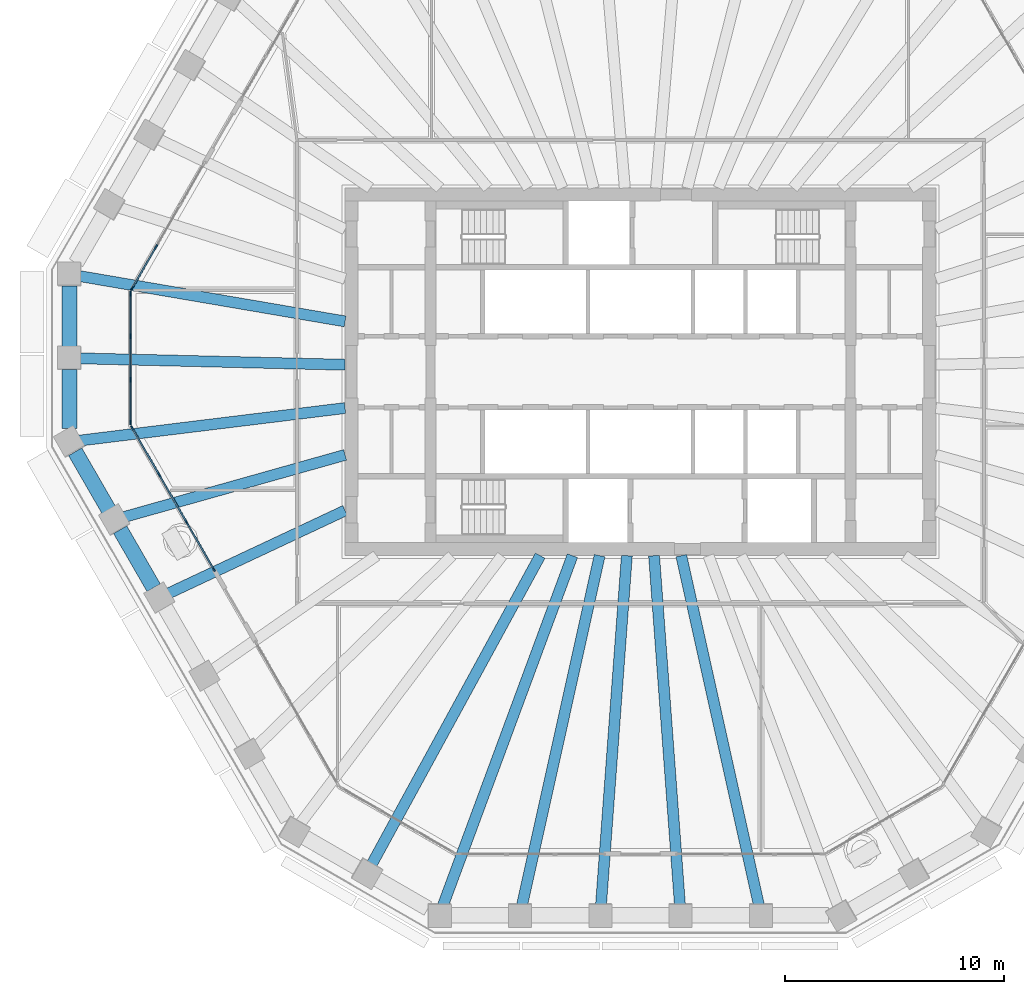
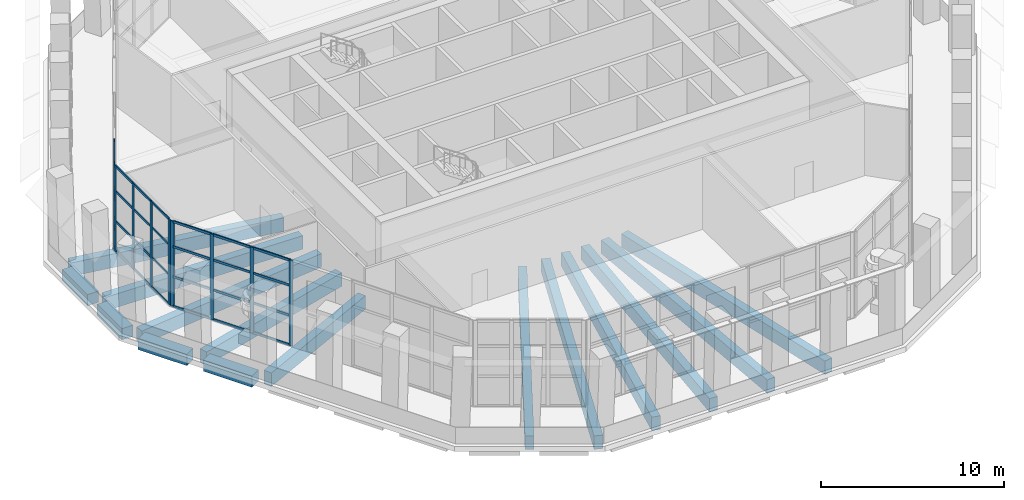
# One storey, part 3 of 19: 38 members, 15 beams, 3 elements without a shape of their own.
"""IFC4 building model written with IfcOpenShell, lengths in metres."""

from ifc_helpers import new_model, si_unit, direction, frame, origin, origin_2d, place, context, subcontext, project, spatial, rectangle, extrude, material, material_profile, profile_set, type_object, element, aggregate, save


model = new_model("IFC4")

# Units and contexts
model_context = context("Model", 3, precision=1e-05, world=origin(), true_north=direction((0.0, 1.0)))
body_context = subcontext(model_context, "Body", "Model", "MODEL_VIEW")
ifc_project = project(units=[si_unit("LENGTHUNIT", "METRE"), si_unit("AREAUNIT", "SQUARE_METRE"), si_unit("VOLUMEUNIT", "CUBIC_METRE"), si_unit("PLANEANGLEUNIT", "RADIAN"), si_unit("MASSUNIT", "GRAM", prefix="KILO")], contexts=[model_context])

# Site, building, storey
site_placement = place(None, origin())
site = spatial("IfcSite", under=ifc_project, at=site_placement, CompositionType="ELEMENT")
building_placement = place(site_placement, origin())
building = spatial("IfcBuilding", under=site, at=building_placement, Name="Frailejon Research Tower", CompositionType="ELEMENT")
storey_placement = place(building_placement, frame((0.0, 0.0, 231.39990234375)))
storey = spatial("IfcBuildingStorey", under=building, at=storey_placement, Name="L50", CompositionType="ELEMENT", Elevation=231.39990234375)

# Beams
ifc_material_1 = material(Name="Concrete C60/75", Category="concrete")
ifc_material_profile_1 = material_profile(ifc_material_1, rectangle(XDim=0.5, YDim=0.89990234375, at=origin_2d()), Name="Girder 500x900")
ifc_profile_set_1 = profile_set([ifc_material_profile_1], Name="Concrete C60/75")
beam_type_1 = type_object("IfcBeamType", Name="Girder 500x900", PredefinedType="BEAM", material=ifc_profile_set_1)
beam_1_placement = place(storey_placement, frame((-25.72021484375, 4.390869140625, -0.75), z_axis=(0.985739054986, -0.168281060951, 0.0), x_axis=(0.168281060951, 0.985739054986, 0.0)))
element("IfcBeam", 1, at=beam_1_placement, inside=storey, type_object=beam_type_1, Name="Girder 500x900", PredefinedType="BEAM", context=body_context, shape_type="SweptSolid", body=[
    extrude(rectangle(XDim=0.5, YDim=0.89990234375, at=origin_2d()), origin(), (0.0, 0.0, 1.0), 12.39697265625),
])
beam_2_placement = place(storey_placement, frame((-25.722412109375, 0.619384765625, -0.75), z_axis=(0.999710451246, -0.024062702869, 0.0), x_axis=(0.024062702869, 0.999710451246, 0.0)))
element("IfcBeam", 2, at=beam_2_placement, inside=storey, type_object=beam_type_1, Name="Girder 500x900", PredefinedType="BEAM", context=body_context, shape_type="SweptSolid", body=[
    extrude(rectangle(XDim=0.5, YDim=0.89990234375, at=origin_2d()), origin(), (0.0, 0.0, 1.0), 12.225830078125),
])
beam_3_placement = place(storey_placement, frame((-25.679931640625, -3.147216796875, -0.75), z_axis=(0.992571637258, 0.121661599989, 0.0), x_axis=(-0.121661599989, 0.992571637258, 0.0)))
element("IfcBeam", 3, at=beam_3_placement, inside=storey, type_object=beam_type_1, Name="Girder 500x900", PredefinedType="BEAM", context=body_context, shape_type="SweptSolid", body=[
    extrude(rectangle(XDim=0.5, YDim=0.89990234375, at=origin_2d()), origin(), (0.0, 0.0, 1.0), 12.27099609375),
])
beam_4_placement = place(storey_placement, frame((-23.664306640625, -6.65283203125, -0.75), z_axis=(0.962682761727, 0.270632408024, 0.0), x_axis=(-0.270632408024, 0.962682761727, 0.0)))
element("IfcBeam", 4, at=beam_4_placement, inside=storey, type_object=beam_type_1, Name="Girder 500x900", PredefinedType="BEAM", context=body_context, shape_type="SweptSolid", body=[
    extrude(rectangle(XDim=0.5, YDim=0.89990234375, at=origin_2d()), origin(), (0.0, 0.0, 1.0), 10.558349609375),
])
beam_5_placement = place(storey_placement, frame((-21.64453125, -10.159423828125, -0.75), z_axis=(0.905245038295, 0.424889892375, 0.0), x_axis=(-0.424889892375, 0.905245038295, 0.0)))
element("IfcBeam", 5, at=beam_5_placement, inside=storey, type_object=beam_type_1, Name="Girder 500x900", PredefinedType="BEAM", context=body_context, shape_type="SweptSolid", body=[
    extrude(rectangle(XDim=0.5, YDim=0.89990234375, at=origin_2d()), origin(), (0.0, 0.0, 1.0), 8.9970703125),
])
beam_6_placement = place(storey_placement, frame((-12.32470703125, -22.5859375, -0.75), z_axis=(0.479001366684, 0.877814154998, 0.0), x_axis=(-0.877814154998, 0.479001366684, 0.0)))
element("IfcBeam", 6, at=beam_6_placement, inside=storey, type_object=beam_type_1, Name="Girder 500x900", PredefinedType="BEAM", context=body_context, shape_type="SweptSolid", body=[
    extrude(rectangle(XDim=0.5, YDim=0.89990234375, at=origin_2d()), origin(), (0.0, 0.0, 1.0), 16.16064453125),
])
beam_7_placement = place(storey_placement, frame((-9.048095703125, -24.444091796875, -0.75), z_axis=(0.3471307602, 0.937816738666, 0.0), x_axis=(-0.937816738666, 0.3471307602, 0.0)))
element("IfcBeam", 7, at=beam_7_placement, inside=storey, type_object=beam_type_1, Name="Girder 500x900", PredefinedType="BEAM", context=body_context, shape_type="SweptSolid", body=[
    extrude(rectangle(XDim=0.5, YDim=0.89990234375, at=origin_2d()), origin(), (0.0, 0.0, 1.0), 17.10791015625),
])
beam_8_placement = place(storey_placement, frame((-5.43017578125, -24.449951171875, -0.75), z_axis=(0.216815679409, 0.976212559416, 0.0), x_axis=(-0.976212559416, 0.216815679409, 0.0)))
element("IfcBeam", 8, at=beam_8_placement, inside=storey, type_object=beam_type_1, Name="Girder 500x900", PredefinedType="BEAM", context=body_context, shape_type="SweptSolid", body=[
    extrude(rectangle(XDim=0.5, YDim=0.89990234375, at=origin_2d()), origin(), (0.0, 0.0, 1.0), 16.441162109375),
])
for number, where, z_axis, x_axis, name in (
    (9, (-1.810302734375, -24.453125, -0.75), (0.073831461647, 0.997270733187, 0.0), (-0.997270733187, 0.073831461647, 0.0), "Girder 500x900"),
    (10, (1.810302734375, -24.453125, -0.75), (-0.073831461647, 0.997270733187, 0.0), (-0.997270733187, -0.073831461647, 0.0), "Girder 500x900"),
):
    element("IfcBeam", number, at=place(storey_placement, frame(where, z_axis=z_axis, x_axis=x_axis)), inside=storey, type_object=beam_type_1, Name=name, PredefinedType="BEAM", context=body_context, shape_type="SweptSolid", body=[
        extrude(rectangle(XDim=0.5, YDim=0.89990234375, at=origin_2d()), origin(), (0.0, 0.0, 1.0), 16.09716796875),
    ])
beam_9_placement = place(storey_placement, frame((5.43017578125, -24.449951171875, -0.75), z_axis=(-0.216815679409, 0.976212559416, 0.0), x_axis=(-0.976212559416, -0.216815679409, 0.0)))
element("IfcBeam", 11, at=beam_9_placement, inside=storey, type_object=beam_type_1, Name="Girder 500x900", PredefinedType="BEAM", context=body_context, shape_type="SweptSolid", body=[
    extrude(rectangle(XDim=0.5, YDim=0.89990234375, at=origin_2d()), origin(), (0.0, 0.0, 1.0), 16.441162109375),
])

# Curtain wall, members
ifc_material_2 = material(Name="Aluminium curtain wall", Category="aluminium")
curtain_wall_type = type_object("IfcCurtainWallType", Name="Sky lobby curtain wall system", PredefinedType="NOTDEFINED", material=ifc_material_2)
curtain_wall_1_placement = place(storey_placement, origin())
curtain_wall_1 = element("IfcCurtainWall", 12, at=curtain_wall_1_placement, inside=storey, type_object=curtain_wall_type, Name="Curtain wall L50", PredefinedType="NOTDEFINED")
ifc_material_3 = material(Name="Aluminium extrusion", Category="aluminium")
ifc_material_profile_2 = material_profile(ifc_material_3, rectangle(XDim=0.070068359375, YDim=0.219970703125, at=origin_2d()), Name="Sky lobby curtain wall mullion 70x220")
ifc_profile_set_2 = profile_set([ifc_material_profile_2], Name="Aluminium extrusion")
member_type_1 = type_object("IfcMemberType", Name="Sky lobby curtain wall mullion 70x220", PredefinedType="MULLION", material=ifc_profile_set_2)
member_1_placement = place(storey_placement, frame((-22.138671875, 5.7119140625, 0.0), z_axis=(0.0, 0.0, 1.0), x_axis=(0.866025366731, -0.500000064178, 0.0)))
member_1 = element("IfcMember", 13, at=member_1_placement, type_object=member_type_1, Name="CW4-107 mullion 3", PredefinedType="MULLION", context=body_context, shape_type="SweptSolid", body=[
    extrude(rectangle(XDim=0.070068359375, YDim=0.219970703125, at=origin_2d()), origin(), (0.0, 0.0, 1.0), 5.7001953125),
])
member_2_placement = place(storey_placement, frame((-23.229736328125, 3.822021484375, 0.0), z_axis=(0.0, 0.0, 1.0), x_axis=(0.866025366731, -0.500000064178, 0.0)))
member_2 = element("IfcMember", 14, at=member_2_placement, type_object=member_type_1, Name="CW4-107 mullion 4", PredefinedType="MULLION", context=body_context, shape_type="SweptSolid", body=[
    extrude(rectangle(XDim=0.070068359375, YDim=0.219970703125, at=origin_2d()), origin(), (0.0, 0.0, 1.0), 5.7001953125),
])

curtain_wall_2_placement = place(storey_placement, origin())
curtain_wall_2 = element("IfcCurtainWall", 15, at=curtain_wall_2_placement, inside=storey, type_object=curtain_wall_type, Name="Curtain wall L50", PredefinedType="NOTDEFINED")
member_3_placement = place(storey_placement, frame((-23.29736328125, 3.570068359375, 0.0), z_axis=(0.0, 0.0, 1.0), x_axis=(1.0, 0.0, 0.0)))
member_3 = element("IfcMember", 16, at=member_3_placement, type_object=member_type_1, Name="CW4-108 mullion 1", PredefinedType="MULLION", context=body_context, shape_type="SweptSolid", body=[
    extrude(rectangle(XDim=0.070068359375, YDim=0.219970703125, at=origin_2d()), origin(), (0.0, 0.0, 1.0), 5.7001953125),
])
member_4_placement = place(storey_placement, frame((-23.29736328125, 1.62060546875, 0.0), z_axis=(0.0, 0.0, 1.0), x_axis=(1.0, 0.0, 0.0)))
member_4 = element("IfcMember", 17, at=member_4_placement, type_object=member_type_1, Name="CW4-108 mullion 2", PredefinedType="MULLION", context=body_context, shape_type="SweptSolid", body=[
    extrude(rectangle(XDim=0.070068359375, YDim=0.219970703125, at=origin_2d()), origin(), (0.0, 0.0, 1.0), 5.7001953125),
])
member_5_placement = place(storey_placement, frame((-23.29736328125, -0.363525390625, 0.0), z_axis=(0.0, 0.0, 1.0), x_axis=(1.0, 0.0, 0.0)))
member_5 = element("IfcMember", 18, at=member_5_placement, type_object=member_type_1, Name="CW4-108 mullion 3", PredefinedType="MULLION", context=body_context, shape_type="SweptSolid", body=[
    extrude(rectangle(XDim=0.070068359375, YDim=0.219970703125, at=origin_2d()), origin(), (0.0, 0.0, 1.0), 5.7001953125),
])
member_6_placement = place(storey_placement, frame((-23.29736328125, -2.31298828125, 0.0), z_axis=(0.0, 0.0, 1.0), x_axis=(1.0, 0.0, 0.0)))
member_6 = element("IfcMember", 19, at=member_6_placement, type_object=member_type_1, Name="CW4-108 mullion 4", PredefinedType="MULLION", context=body_context, shape_type="SweptSolid", body=[
    extrude(rectangle(XDim=0.070068359375, YDim=0.219970703125, at=origin_2d()), origin(), (0.0, 0.0, 1.0), 5.7001953125),
])

curtain_wall_3_placement = place(storey_placement, origin())
curtain_wall_3 = element("IfcCurtainWall", 20, at=curtain_wall_3_placement, inside=storey, type_object=curtain_wall_type, Name="Curtain wall L50", PredefinedType="NOTDEFINED")
member_7_placement = place(storey_placement, frame((-23.229736328125, -2.564697265625, 0.0), z_axis=(0.0, 0.0, 1.0), x_axis=(0.866025100961, 0.500000524505, 0.0)))
member_7 = element("IfcMember", 21, at=member_7_placement, type_object=member_type_1, Name="CW4-109 mullion 1", PredefinedType="MULLION", context=body_context, shape_type="SweptSolid", body=[
    extrude(rectangle(XDim=0.070068359375, YDim=0.219970703125, at=origin_2d()), origin(), (0.0, 0.0, 1.0), 5.7001953125),
])
member_8_placement = place(storey_placement, frame((-21.993408203125, -4.706298828125, 0.0), z_axis=(0.0, 0.0, 1.0), x_axis=(0.866025100961, 0.500000524505, 0.0)))
member_8 = element("IfcMember", 22, at=member_8_placement, type_object=member_type_1, Name="CW4-109 mullion 2", PredefinedType="MULLION", context=body_context, shape_type="SweptSolid", body=[
    extrude(rectangle(XDim=0.070068359375, YDim=0.219970703125, at=origin_2d()), origin(), (0.0, 0.0, 1.0), 5.7001953125),
])
member_9_placement = place(storey_placement, frame((-20.73974609375, -6.8779296875, 0.0), z_axis=(0.0, 0.0, 1.0), x_axis=(0.866025100961, 0.500000524505, 0.0)))
member_9 = element("IfcMember", 23, at=member_9_placement, type_object=member_type_1, Name="CW4-109 mullion 3", PredefinedType="MULLION", context=body_context, shape_type="SweptSolid", body=[
    extrude(rectangle(XDim=0.070068359375, YDim=0.219970703125, at=origin_2d()), origin(), (0.0, 0.0, 1.0), 5.7001953125),
])
member_10_placement = place(storey_placement, frame((-19.50341796875, -9.019287109375, 0.0), z_axis=(0.0, 0.0, 1.0), x_axis=(0.866025100961, 0.500000524505, 0.0)))
member_10 = element("IfcMember", 24, at=member_10_placement, type_object=member_type_1, Name="CW4-109 mullion 4", PredefinedType="MULLION", context=body_context, shape_type="SweptSolid", body=[
    extrude(rectangle(XDim=0.070068359375, YDim=0.219970703125, at=origin_2d()), origin(), (0.0, 0.0, 1.0), 5.7001953125),
])

# Member
ifc_material_4 = material(Name="Aluminium extrusion", Category="aluminium")
ifc_material_profile_3 = material_profile(ifc_material_4, rectangle(XDim=0.070068359375, YDim=0.159912109375, at=origin_2d()), Name="Sky lobby curtain wall transom 70x160")
ifc_profile_set_3 = profile_set([ifc_material_profile_3], Name="Aluminium extrusion")
member_type_2 = type_object("IfcMemberType", Name="Sky lobby curtain wall transom 70x160", PredefinedType="USERDEFINED", material=ifc_profile_set_3)
member_11_placement = place(storey_placement, frame((-22.15625, 5.681640625, 0.03515625), z_axis=(-0.499992582699, -0.866029686123, 0.0), x_axis=(0.866029686123, -0.499992582699, 0.0)))
member_11 = element("IfcMember", 25, at=member_11_placement, type_object=member_type_2, Name="CW4-107 transom 3.1", ObjectType="TRANSOM", PredefinedType="USERDEFINED", context=body_context, shape_type="SweptSolid", body=[
    extrude(rectangle(XDim=0.070068359375, YDim=0.159912109375, at=origin_2d()), origin(), (0.0, 0.0, 1.0), 2.1123046875),
])

member_12_placement = place(storey_placement, frame((-22.15625, 5.681640625, 2.0), z_axis=(-0.499992582699, -0.866029686123, 0.0), x_axis=(0.866029686123, -0.499992582699, 0.0)))
member_12 = element("IfcMember", 26, at=member_12_placement, type_object=member_type_2, Name="CW4-107 transom 3.2", ObjectType="TRANSOM", PredefinedType="USERDEFINED", context=body_context, shape_type="SweptSolid", body=[
    extrude(rectangle(XDim=0.070068359375, YDim=0.159912109375, at=origin_2d()), origin(), (0.0, 0.0, 1.0), 2.1123046875),
])

member_13_placement = place(storey_placement, frame((-22.15625, 5.681640625, 4.0), z_axis=(-0.499992582699, -0.866029686123, 0.0), x_axis=(0.866029686123, -0.499992582699, 0.0)))
member_13 = element("IfcMember", 27, at=member_13_placement, type_object=member_type_2, Name="CW4-107 transom 3.3", ObjectType="TRANSOM", PredefinedType="USERDEFINED", context=body_context, shape_type="SweptSolid", body=[
    extrude(rectangle(XDim=0.070068359375, YDim=0.159912109375, at=origin_2d()), origin(), (0.0, 0.0, 1.0), 2.1123046875),
])

member_14_placement = place(storey_placement, frame((-22.15625, 5.681640625, 5.6650390625), z_axis=(-0.499992582699, -0.866029686123, 0.0), x_axis=(0.866029686123, -0.499992582699, 0.0)))
member_14 = element("IfcMember", 28, at=member_14_placement, type_object=member_type_2, Name="CW4-107 transom 3.4", ObjectType="TRANSOM", PredefinedType="USERDEFINED", context=body_context, shape_type="SweptSolid", body=[
    extrude(rectangle(XDim=0.070068359375, YDim=0.159912109375, at=origin_2d()), origin(), (0.0, 0.0, 1.0), 2.1123046875),
])

aggregate(curtain_wall_1, [member_1, member_2, member_11, member_12, member_13, member_14])

member_15_placement = place(storey_placement, frame((-23.29736328125, 3.534912109375, 0.03515625), z_axis=(0.0, -1.0, 0.0), x_axis=(1.0, 0.0, 0.0)))
member_15 = element("IfcMember", 29, at=member_15_placement, type_object=member_type_2, Name="CW4-108 transom 1.1", ObjectType="TRANSOM", PredefinedType="USERDEFINED", context=body_context, shape_type="SweptSolid", body=[
    extrude(rectangle(XDim=0.070068359375, YDim=0.159912109375, at=origin_2d()), origin(), (0.0, 0.0, 1.0), 1.879150390625),
])

member_16_placement = place(storey_placement, frame((-23.29736328125, 3.534912109375, 2.0), z_axis=(0.0, -1.0, 0.0), x_axis=(1.0, 0.0, 0.0)))
member_16 = element("IfcMember", 30, at=member_16_placement, type_object=member_type_2, Name="CW4-108 transom 1.2", ObjectType="TRANSOM", PredefinedType="USERDEFINED", context=body_context, shape_type="SweptSolid", body=[
    extrude(rectangle(XDim=0.070068359375, YDim=0.159912109375, at=origin_2d()), origin(), (0.0, 0.0, 1.0), 1.879150390625),
])

member_17_placement = place(storey_placement, frame((-23.29736328125, 3.534912109375, 4.0), z_axis=(0.0, -1.0, 0.0), x_axis=(1.0, 0.0, 0.0)))
member_17 = element("IfcMember", 31, at=member_17_placement, type_object=member_type_2, Name="CW4-108 transom 1.3", ObjectType="TRANSOM", PredefinedType="USERDEFINED", context=body_context, shape_type="SweptSolid", body=[
    extrude(rectangle(XDim=0.070068359375, YDim=0.159912109375, at=origin_2d()), origin(), (0.0, 0.0, 1.0), 1.879150390625),
])

member_18_placement = place(storey_placement, frame((-23.29736328125, 3.534912109375, 5.6650390625), z_axis=(0.0, -1.0, 0.0), x_axis=(1.0, 0.0, 0.0)))
member_18 = element("IfcMember", 32, at=member_18_placement, type_object=member_type_2, Name="CW4-108 transom 1.4", ObjectType="TRANSOM", PredefinedType="USERDEFINED", context=body_context, shape_type="SweptSolid", body=[
    extrude(rectangle(XDim=0.070068359375, YDim=0.159912109375, at=origin_2d()), origin(), (0.0, 0.0, 1.0), 1.879150390625),
])

member_19_placement = place(storey_placement, frame((-23.29736328125, 1.585693359375, 0.03515625), z_axis=(0.0, -1.0, 0.0), x_axis=(1.0, 0.0, 0.0)))
member_19 = element("IfcMember", 33, at=member_19_placement, type_object=member_type_2, Name="CW4-108 transom 2.1", ObjectType="TRANSOM", PredefinedType="USERDEFINED", context=body_context, shape_type="SweptSolid", body=[
    extrude(rectangle(XDim=0.070068359375, YDim=0.159912109375, at=origin_2d()), origin(), (0.0, 0.0, 1.0), 1.914306640625),
])

member_20_placement = place(storey_placement, frame((-23.29736328125, 1.585693359375, 2.0), z_axis=(0.0, -1.0, 0.0), x_axis=(1.0, 0.0, 0.0)))
member_20 = element("IfcMember", 34, at=member_20_placement, type_object=member_type_2, Name="CW4-108 transom 2.2", ObjectType="TRANSOM", PredefinedType="USERDEFINED", context=body_context, shape_type="SweptSolid", body=[
    extrude(rectangle(XDim=0.070068359375, YDim=0.159912109375, at=origin_2d()), origin(), (0.0, 0.0, 1.0), 1.914306640625),
])

member_21_placement = place(storey_placement, frame((-23.29736328125, 1.585693359375, 4.0), z_axis=(0.0, -1.0, 0.0), x_axis=(1.0, 0.0, 0.0)))
member_21 = element("IfcMember", 35, at=member_21_placement, type_object=member_type_2, Name="CW4-108 transom 2.3", ObjectType="TRANSOM", PredefinedType="USERDEFINED", context=body_context, shape_type="SweptSolid", body=[
    extrude(rectangle(XDim=0.070068359375, YDim=0.159912109375, at=origin_2d()), origin(), (0.0, 0.0, 1.0), 1.914306640625),
])

member_22_placement = place(storey_placement, frame((-23.29736328125, 1.585693359375, 5.6650390625), z_axis=(0.0, -1.0, 0.0), x_axis=(1.0, 0.0, 0.0)))
member_22 = element("IfcMember", 36, at=member_22_placement, type_object=member_type_2, Name="CW4-108 transom 2.4", ObjectType="TRANSOM", PredefinedType="USERDEFINED", context=body_context, shape_type="SweptSolid", body=[
    extrude(rectangle(XDim=0.070068359375, YDim=0.159912109375, at=origin_2d()), origin(), (0.0, 0.0, 1.0), 1.914306640625),
])

member_23_placement = place(storey_placement, frame((-23.29736328125, -0.398681640625, 0.03515625), z_axis=(0.0, -1.0, 0.0), x_axis=(1.0, 0.0, 0.0)))
member_23 = element("IfcMember", 37, at=member_23_placement, type_object=member_type_2, Name="CW4-108 transom 3.1", ObjectType="TRANSOM", PredefinedType="USERDEFINED", context=body_context, shape_type="SweptSolid", body=[
    extrude(rectangle(XDim=0.070068359375, YDim=0.159912109375, at=origin_2d()), origin(), (0.0, 0.0, 1.0), 1.879150390625),
])

member_24_placement = place(storey_placement, frame((-23.29736328125, -0.398681640625, 2.0), z_axis=(0.0, -1.0, 0.0), x_axis=(1.0, 0.0, 0.0)))
member_24 = element("IfcMember", 38, at=member_24_placement, type_object=member_type_2, Name="CW4-108 transom 3.2", ObjectType="TRANSOM", PredefinedType="USERDEFINED", context=body_context, shape_type="SweptSolid", body=[
    extrude(rectangle(XDim=0.070068359375, YDim=0.159912109375, at=origin_2d()), origin(), (0.0, 0.0, 1.0), 1.879150390625),
])

member_25_placement = place(storey_placement, frame((-23.29736328125, -0.398681640625, 4.0), z_axis=(0.0, -1.0, 0.0), x_axis=(1.0, 0.0, 0.0)))
member_25 = element("IfcMember", 39, at=member_25_placement, type_object=member_type_2, Name="CW4-108 transom 3.3", ObjectType="TRANSOM", PredefinedType="USERDEFINED", context=body_context, shape_type="SweptSolid", body=[
    extrude(rectangle(XDim=0.070068359375, YDim=0.159912109375, at=origin_2d()), origin(), (0.0, 0.0, 1.0), 1.879150390625),
])

member_26_placement = place(storey_placement, frame((-23.29736328125, -0.398681640625, 5.6650390625), z_axis=(0.0, -1.0, 0.0), x_axis=(1.0, 0.0, 0.0)))
member_26 = element("IfcMember", 40, at=member_26_placement, type_object=member_type_2, Name="CW4-108 transom 3.4", ObjectType="TRANSOM", PredefinedType="USERDEFINED", context=body_context, shape_type="SweptSolid", body=[
    extrude(rectangle(XDim=0.070068359375, YDim=0.159912109375, at=origin_2d()), origin(), (0.0, 0.0, 1.0), 1.879150390625),
])

aggregate(curtain_wall_2, [member_3, member_4, member_5, member_6, member_15, member_16, member_17, member_18, member_19, member_20, member_21, member_22, member_23, member_24, member_25, member_26])

member_27_placement = place(storey_placement, frame((-23.21240234375, -2.59521484375, 0.03515625), z_axis=(0.500062570482, -0.865989275686, 0.0), x_axis=(0.865989275686, 0.500062570482, 0.0)))
member_27 = element("IfcMember", 41, at=member_27_placement, type_object=member_type_2, Name="CW4-109 transom 1.1", ObjectType="TRANSOM", PredefinedType="USERDEFINED", context=body_context, shape_type="SweptSolid", body=[
    extrude(rectangle(XDim=0.070068359375, YDim=0.159912109375, at=origin_2d()), origin(), (0.0, 0.0, 1.0), 2.402587890625),
])

member_28_placement = place(storey_placement, frame((-23.21240234375, -2.59521484375, 2.0), z_axis=(0.500062570482, -0.865989275686, 0.0), x_axis=(0.865989275686, 0.500062570482, 0.0)))
member_28 = element("IfcMember", 42, at=member_28_placement, type_object=member_type_2, Name="CW4-109 transom 1.2", ObjectType="TRANSOM", PredefinedType="USERDEFINED", context=body_context, shape_type="SweptSolid", body=[
    extrude(rectangle(XDim=0.070068359375, YDim=0.159912109375, at=origin_2d()), origin(), (0.0, 0.0, 1.0), 2.402587890625),
])

member_29_placement = place(storey_placement, frame((-23.21240234375, -2.59521484375, 4.0), z_axis=(0.500062570482, -0.865989275686, 0.0), x_axis=(0.865989275686, 0.500062570482, 0.0)))
member_29 = element("IfcMember", 43, at=member_29_placement, type_object=member_type_2, Name="CW4-109 transom 1.3", ObjectType="TRANSOM", PredefinedType="USERDEFINED", context=body_context, shape_type="SweptSolid", body=[
    extrude(rectangle(XDim=0.070068359375, YDim=0.159912109375, at=origin_2d()), origin(), (0.0, 0.0, 1.0), 2.402587890625),
])

member_30_placement = place(storey_placement, frame((-23.21240234375, -2.59521484375, 5.6650390625), z_axis=(0.500062570482, -0.865989275686, 0.0), x_axis=(0.865989275686, 0.500062570482, 0.0)))
member_30 = element("IfcMember", 44, at=member_30_placement, type_object=member_type_2, Name="CW4-109 transom 1.4", ObjectType="TRANSOM", PredefinedType="USERDEFINED", context=body_context, shape_type="SweptSolid", body=[
    extrude(rectangle(XDim=0.070068359375, YDim=0.159912109375, at=origin_2d()), origin(), (0.0, 0.0, 1.0), 2.402587890625),
])

member_31_placement = place(storey_placement, frame((-21.97607421875, -4.736572265625, 0.03515625), z_axis=(0.500048989253, -0.865997117979, 0.0), x_axis=(0.865997117979, 0.500048989253, 0.0)))
member_31 = element("IfcMember", 45, at=member_31_placement, type_object=member_type_2, Name="CW4-109 transom 2.1", ObjectType="TRANSOM", PredefinedType="USERDEFINED", context=body_context, shape_type="SweptSolid", body=[
    extrude(rectangle(XDim=0.070068359375, YDim=0.159912109375, at=origin_2d()), origin(), (0.0, 0.0, 1.0), 2.437744140625),
])

member_32_placement = place(storey_placement, frame((-21.97607421875, -4.736572265625, 2.0), z_axis=(0.500048989253, -0.865997117979, 0.0), x_axis=(0.865997117979, 0.500048989253, 0.0)))
member_32 = element("IfcMember", 46, at=member_32_placement, type_object=member_type_2, Name="CW4-109 transom 2.2", ObjectType="TRANSOM", PredefinedType="USERDEFINED", context=body_context, shape_type="SweptSolid", body=[
    extrude(rectangle(XDim=0.070068359375, YDim=0.159912109375, at=origin_2d()), origin(), (0.0, 0.0, 1.0), 2.437744140625),
])

member_33_placement = place(storey_placement, frame((-21.97607421875, -4.736572265625, 4.0), z_axis=(0.500048989253, -0.865997117979, 0.0), x_axis=(0.865997117979, 0.500048989253, 0.0)))
member_33 = element("IfcMember", 47, at=member_33_placement, type_object=member_type_2, Name="CW4-109 transom 2.3", ObjectType="TRANSOM", PredefinedType="USERDEFINED", context=body_context, shape_type="SweptSolid", body=[
    extrude(rectangle(XDim=0.070068359375, YDim=0.159912109375, at=origin_2d()), origin(), (0.0, 0.0, 1.0), 2.437744140625),
])

member_34_placement = place(storey_placement, frame((-21.97607421875, -4.736572265625, 5.6650390625), z_axis=(0.500048989253, -0.865997117979, 0.0), x_axis=(0.865997117979, 0.500048989253, 0.0)))
member_34 = element("IfcMember", 48, at=member_34_placement, type_object=member_type_2, Name="CW4-109 transom 2.4", ObjectType="TRANSOM", PredefinedType="USERDEFINED", context=body_context, shape_type="SweptSolid", body=[
    extrude(rectangle(XDim=0.070068359375, YDim=0.159912109375, at=origin_2d()), origin(), (0.0, 0.0, 1.0), 2.437744140625),
])

member_35_placement = place(storey_placement, frame((-20.72216796875, -6.908203125, 0.03515625), z_axis=(0.500018568119, -0.86601468321, 0.0), x_axis=(0.86601468321, 0.500018568119, 0.0)))
member_35 = element("IfcMember", 49, at=member_35_placement, type_object=member_type_2, Name="CW4-109 transom 3.1", ObjectType="TRANSOM", PredefinedType="USERDEFINED", context=body_context, shape_type="SweptSolid", body=[
    extrude(rectangle(XDim=0.070068359375, YDim=0.159912109375, at=origin_2d()), origin(), (0.0, 0.0, 1.0), 2.40283203125),
])

member_36_placement = place(storey_placement, frame((-20.72216796875, -6.908203125, 2.0), z_axis=(0.500018568119, -0.86601468321, 0.0), x_axis=(0.86601468321, 0.500018568119, 0.0)))
member_36 = element("IfcMember", 50, at=member_36_placement, type_object=member_type_2, Name="CW4-109 transom 3.2", ObjectType="TRANSOM", PredefinedType="USERDEFINED", context=body_context, shape_type="SweptSolid", body=[
    extrude(rectangle(XDim=0.070068359375, YDim=0.159912109375, at=origin_2d()), origin(), (0.0, 0.0, 1.0), 2.40283203125),
])

member_37_placement = place(storey_placement, frame((-20.72216796875, -6.908203125, 4.0), z_axis=(0.500018568119, -0.86601468321, 0.0), x_axis=(0.86601468321, 0.500018568119, 0.0)))
member_37 = element("IfcMember", 51, at=member_37_placement, type_object=member_type_2, Name="CW4-109 transom 3.3", ObjectType="TRANSOM", PredefinedType="USERDEFINED", context=body_context, shape_type="SweptSolid", body=[
    extrude(rectangle(XDim=0.070068359375, YDim=0.159912109375, at=origin_2d()), origin(), (0.0, 0.0, 1.0), 2.40283203125),
])

member_38_placement = place(storey_placement, frame((-20.72216796875, -6.908203125, 5.6650390625), z_axis=(0.500018568119, -0.86601468321, 0.0), x_axis=(0.86601468321, 0.500018568119, 0.0)))
member_38 = element("IfcMember", 52, at=member_38_placement, type_object=member_type_2, Name="CW4-109 transom 3.4", ObjectType="TRANSOM", PredefinedType="USERDEFINED", context=body_context, shape_type="SweptSolid", body=[
    extrude(rectangle(XDim=0.070068359375, YDim=0.159912109375, at=origin_2d()), origin(), (0.0, 0.0, 1.0), 2.40283203125),
])

aggregate(curtain_wall_3, [member_7, member_8, member_9, member_10, member_27, member_28, member_29, member_30, member_31, member_32, member_33, member_34, member_35, member_36, member_37, member_38])

# Beams
ifc_material_5 = material(Name="Concrete C60/75", Category="concrete")
ifc_material_profile_4 = material_profile(ifc_material_5, rectangle(XDim=0.699951171875, YDim=0.75, at=origin_2d()), Name="Spandrel 700x750")
ifc_profile_set_4 = profile_set([ifc_material_profile_4], Name="Concrete C60/75")
beam_type_2 = type_object("IfcBeamType", Name="Spandrel 700x750", PredefinedType="BEAM", material=ifc_profile_set_4)
beam_10_placement = place(storey_placement, frame((-26.097412109375, 3.93017578125, -0.724853515625), z_axis=(0.0, -1.0, 0.0), x_axis=(1.0, 0.0, 0.0)))
element("IfcBeam", 53, at=beam_10_placement, inside=storey, type_object=beam_type_2, Name="Spandrel 700x750", PredefinedType="BEAM", context=body_context, shape_type="SweptSolid", body=[
    extrude(rectangle(XDim=0.699951171875, YDim=0.75, at=origin_2d()), origin(), (0.0, 0.0, 1.0), 2.776611328125),
])
beam_11_placement = place(storey_placement, frame((-26.097412109375, 0.103515625, -0.724853515625), z_axis=(0.0, -1.0, 0.0), x_axis=(1.0, 0.0, 0.0)))
element("IfcBeam", 54, at=beam_11_placement, inside=storey, type_object=beam_type_2, Name="Spandrel 700x750", PredefinedType="BEAM", context=body_context, shape_type="SweptSolid", body=[
    extrude(rectangle(XDim=0.699951171875, YDim=0.75, at=origin_2d()), origin(), (0.0, 0.0, 1.0), 2.695556640625),
])
for number, where, z_axis, x_axis, name in (
    (55, (-25.834716796875, -3.65283203125, -0.724853515625), (0.499998569178, -0.866026229868, 0.0), (0.866026229868, 0.499998569178, 0.0), "Spandrel 700x750"),
    (56, (-23.779052734375, -7.213623046875, -0.724853515625), (0.499998569178, -0.866026229868, 0.0), (0.866026229868, 0.499998569178, 0.0), "Spandrel 700x750"),
):
    element("IfcBeam", number, at=place(storey_placement, frame(where, z_axis=z_axis, x_axis=x_axis)), inside=storey, type_object=beam_type_2, Name=name, PredefinedType="BEAM", context=body_context, shape_type="SweptSolid", body=[
        extrude(rectangle(XDim=0.699951171875, YDim=0.75, at=origin_2d()), origin(), (0.0, 0.0, 1.0), 3.0615234375),
    ])

save(model, "model.ifc")
